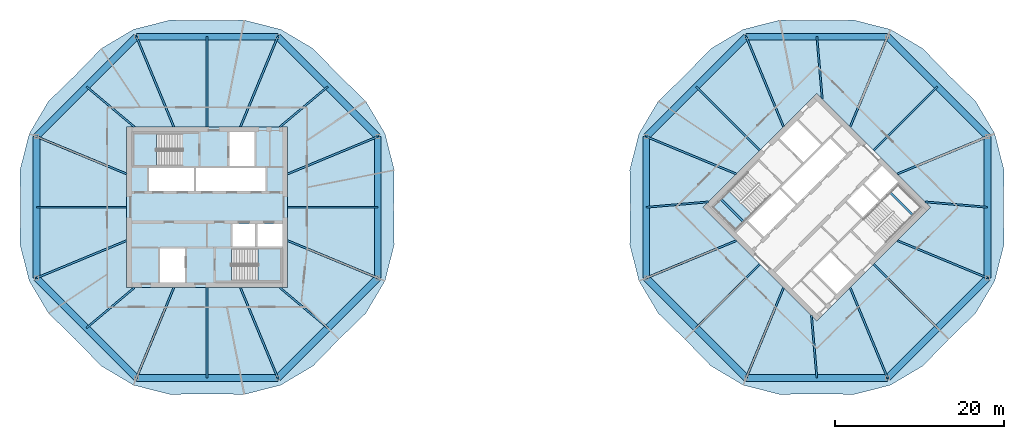
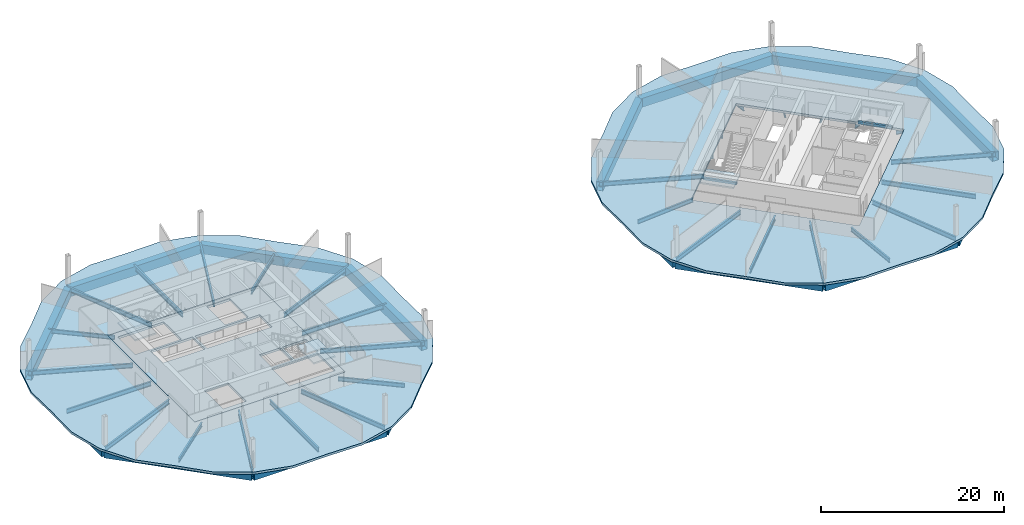
# One storey, part 3 of 10: 50 beams, 6 slabs, 3 elements without a shape of their own.
"""IFC4 building model written with IfcOpenShell, lengths in metres."""

from ifc_helpers import new_model, si_unit, direction, frame, origin, origin_2d, place, context, subcontext, project, spatial, polyline, rectangle, hollow_rectangle, i_section, outline, extrude, material, layer, layer_set, material_profile, profile_set, type_object, element, aggregate, save


model = new_model("IFC4")

# Units and contexts
model_context = context("Model", 3, precision=1e-05, world=origin(), true_north=direction((0.0, 1.0)))
body_context = subcontext(model_context, "Body", "Model", "MODEL_VIEW")
ifc_project = project(units=[si_unit("LENGTHUNIT", "METRE"), si_unit("AREAUNIT", "SQUARE_METRE"), si_unit("VOLUMEUNIT", "CUBIC_METRE"), si_unit("PLANEANGLEUNIT", "RADIAN"), si_unit("MASSUNIT", "GRAM", prefix="KILO")], contexts=[model_context])

# Site, building, storey
site_placement = place(None, origin())
site = spatial("IfcSite", under=ifc_project, at=site_placement, CompositionType="ELEMENT")
building_placement = place(site_placement, origin())
building = spatial("IfcBuilding", under=site, at=building_placement, Name="Ogive Gate Towers", CompositionType="ELEMENT")
storey_placement = place(building_placement, frame((0.0, 0.0, 173.39990234375)))
storey = spatial("IfcBuildingStorey", under=building, at=storey_placement, Name="L41", CompositionType="ELEMENT", Elevation=173.39990234375)

# Beams
ifc_material_1 = material(Name="Steel SM460", Category="steel")
ifc_material_profile_1 = material_profile(ifc_material_1, hollow_rectangle(XDim=0.800048828125, YDim=1.199951171875, WallThickness=0.050048828125, at=origin_2d()), Name="BX 1200x800x50")
ifc_profile_set_1 = profile_set([ifc_material_profile_1], Name="Steel SM460")
beam_type_1 = type_object("IfcBeamType", Name="Edge girder BX 1200x800x50", PredefinedType="BEAM", material=ifc_profile_set_1)
beam_1_placement = place(storey_placement, frame((-56.14990234375, -8.346435546875, -0.89990234375), z_axis=(0.707106781187, -0.707106781187, 0.0), x_axis=(0.707106781187, 0.707106781187, 0.0)))
element("IfcBeam", 1, at=beam_1_placement, inside=storey, type_object=beam_type_1, Name="T1/L41/SBM017", PredefinedType="BEAM", context=body_context, shape_type="SweptSolid", body=[
    extrude(hollow_rectangle(XDim=0.800048828125, YDim=1.199951171875, WallThickness=0.050048828125, at=origin_2d()), origin(), (0.0, 0.0, 1.0), 16.692626953125),
])
beam_2_placement = place(storey_placement, frame((-44.346435546875, -20.14990234375, -0.89990234375), z_axis=(1.0, 0.0, 0.0), x_axis=(0.0, 1.0, 0.0)))
element("IfcBeam", 2, at=beam_2_placement, inside=storey, type_object=beam_type_1, Name="T1/L41/SBM018", PredefinedType="BEAM", context=body_context, shape_type="SweptSolid", body=[
    extrude(hollow_rectangle(XDim=0.800048828125, YDim=1.199951171875, WallThickness=0.050048828125, at=origin_2d()), origin(), (0.0, 0.0, 1.0), 16.69287109375),
])
beam_3_placement = place(storey_placement, frame((-27.653564453125, -20.14990234375, -0.89990234375), z_axis=(0.707106781187, 0.707106781187, 0.0), x_axis=(-0.707106781187, 0.707106781187, 0.0)))
element("IfcBeam", 3, at=beam_3_placement, inside=storey, type_object=beam_type_1, Name="T1/L41/SBM019", PredefinedType="BEAM", context=body_context, shape_type="SweptSolid", body=[
    extrude(hollow_rectangle(XDim=0.800048828125, YDim=1.199951171875, WallThickness=0.050048828125, at=origin_2d()), origin(), (0.0, 0.0, 1.0), 16.692626953125),
])
beam_4_placement = place(storey_placement, frame((-15.85009765625, -8.346435546875, -0.89990234375), z_axis=(0.0, 1.0, 0.0), x_axis=(-1.0, 0.0, 0.0)))
element("IfcBeam", 4, at=beam_4_placement, inside=storey, type_object=beam_type_1, Name="T1/L41/SBM020", PredefinedType="BEAM", context=body_context, shape_type="SweptSolid", body=[
    extrude(hollow_rectangle(XDim=0.800048828125, YDim=1.199951171875, WallThickness=0.050048828125, at=origin_2d()), origin(), (0.0, 0.0, 1.0), 16.69287109375),
])
beam_5_placement = place(storey_placement, frame((-15.85009765625, 8.346435546875, -0.89990234375), z_axis=(-0.707106781187, 0.707106781187, 0.0), x_axis=(-0.707106781187, -0.707106781187, 0.0)))
element("IfcBeam", 5, at=beam_5_placement, inside=storey, type_object=beam_type_1, Name="T1/L41/SBM021", PredefinedType="BEAM", context=body_context, shape_type="SweptSolid", body=[
    extrude(hollow_rectangle(XDim=0.800048828125, YDim=1.199951171875, WallThickness=0.050048828125, at=origin_2d()), origin(), (0.0, 0.0, 1.0), 16.692626953125),
])
beam_6_placement = place(storey_placement, frame((-27.653564453125, 20.14990234375, -0.89990234375), z_axis=(-1.0, 0.0, 0.0), x_axis=(0.0, -1.0, 0.0)))
element("IfcBeam", 6, at=beam_6_placement, inside=storey, type_object=beam_type_1, Name="T1/L41/SBM022", PredefinedType="BEAM", context=body_context, shape_type="SweptSolid", body=[
    extrude(hollow_rectangle(XDim=0.800048828125, YDim=1.199951171875, WallThickness=0.050048828125, at=origin_2d()), origin(), (0.0, 0.0, 1.0), 16.69287109375),
])
beam_7_placement = place(storey_placement, frame((-44.346435546875, 20.14990234375, -0.89990234375), z_axis=(-0.707106781187, -0.707106781187, 0.0), x_axis=(0.707106781187, -0.707106781187, 0.0)))
element("IfcBeam", 7, at=beam_7_placement, inside=storey, type_object=beam_type_1, Name="T1/L41/SBM023", PredefinedType="BEAM", context=body_context, shape_type="SweptSolid", body=[
    extrude(hollow_rectangle(XDim=0.800048828125, YDim=1.199951171875, WallThickness=0.050048828125, at=origin_2d()), origin(), (0.0, 0.0, 1.0), 16.692626953125),
])
beam_8_placement = place(storey_placement, frame((-56.14990234375, 8.346435546875, -0.89990234375), z_axis=(0.0, -1.0, 0.0), x_axis=(1.0, 0.0, 0.0)))
element("IfcBeam", 8, at=beam_8_placement, inside=storey, type_object=beam_type_1, Name="T1/L41/SBM024", PredefinedType="BEAM", context=body_context, shape_type="SweptSolid", body=[
    extrude(hollow_rectangle(XDim=0.800048828125, YDim=1.199951171875, WallThickness=0.050048828125, at=origin_2d()), origin(), (0.0, 0.0, 1.0), 16.69287109375),
])
beam_9_placement = place(storey_placement, frame((15.85009765625, -8.346435546875, -0.89990234375), z_axis=(0.707106781187, -0.707106781187, 0.0), x_axis=(0.707106781187, 0.707106781187, 0.0)))
element("IfcBeam", 9, at=beam_9_placement, inside=storey, type_object=beam_type_1, Name="T2/L41/SBM017", PredefinedType="BEAM", context=body_context, shape_type="SweptSolid", body=[
    extrude(hollow_rectangle(XDim=0.800048828125, YDim=1.199951171875, WallThickness=0.050048828125, at=origin_2d()), origin(), (0.0, 0.0, 1.0), 16.692626953125),
])
beam_10_placement = place(storey_placement, frame((27.653564453125, -20.14990234375, -0.89990234375), z_axis=(1.0, 0.0, 0.0), x_axis=(0.0, 1.0, 0.0)))
element("IfcBeam", 10, at=beam_10_placement, inside=storey, type_object=beam_type_1, Name="T2/L41/SBM018", PredefinedType="BEAM", context=body_context, shape_type="SweptSolid", body=[
    extrude(hollow_rectangle(XDim=0.800048828125, YDim=1.199951171875, WallThickness=0.050048828125, at=origin_2d()), origin(), (0.0, 0.0, 1.0), 16.69287109375),
])
beam_11_placement = place(storey_placement, frame((44.346435546875, -20.14990234375, -0.89990234375), z_axis=(0.707106781187, 0.707106781187, 0.0), x_axis=(-0.707106781187, 0.707106781187, 0.0)))
element("IfcBeam", 11, at=beam_11_placement, inside=storey, type_object=beam_type_1, Name="T2/L41/SBM019", PredefinedType="BEAM", context=body_context, shape_type="SweptSolid", body=[
    extrude(hollow_rectangle(XDim=0.800048828125, YDim=1.199951171875, WallThickness=0.050048828125, at=origin_2d()), origin(), (0.0, 0.0, 1.0), 16.692626953125),
])
beam_12_placement = place(storey_placement, frame((56.14990234375, -8.346435546875, -0.89990234375), z_axis=(0.0, 1.0, 0.0), x_axis=(-1.0, 0.0, 0.0)))
element("IfcBeam", 12, at=beam_12_placement, inside=storey, type_object=beam_type_1, Name="T2/L41/SBM020", PredefinedType="BEAM", context=body_context, shape_type="SweptSolid", body=[
    extrude(hollow_rectangle(XDim=0.800048828125, YDim=1.199951171875, WallThickness=0.050048828125, at=origin_2d()), origin(), (0.0, 0.0, 1.0), 16.69287109375),
])
beam_13_placement = place(storey_placement, frame((56.14990234375, 8.346435546875, -0.89990234375), z_axis=(-0.707106781187, 0.707106781187, 0.0), x_axis=(-0.707106781187, -0.707106781187, 0.0)))
element("IfcBeam", 13, at=beam_13_placement, inside=storey, type_object=beam_type_1, Name="T2/L41/SBM021", PredefinedType="BEAM", context=body_context, shape_type="SweptSolid", body=[
    extrude(hollow_rectangle(XDim=0.800048828125, YDim=1.199951171875, WallThickness=0.050048828125, at=origin_2d()), origin(), (0.0, 0.0, 1.0), 16.692626953125),
])
beam_14_placement = place(storey_placement, frame((44.346435546875, 20.14990234375, -0.89990234375), z_axis=(-1.0, 0.0, 0.0), x_axis=(0.0, -1.0, 0.0)))
element("IfcBeam", 14, at=beam_14_placement, inside=storey, type_object=beam_type_1, Name="T2/L41/SBM022", PredefinedType="BEAM", context=body_context, shape_type="SweptSolid", body=[
    extrude(hollow_rectangle(XDim=0.800048828125, YDim=1.199951171875, WallThickness=0.050048828125, at=origin_2d()), origin(), (0.0, 0.0, 1.0), 16.69287109375),
])
beam_15_placement = place(storey_placement, frame((27.653564453125, 20.14990234375, -0.89990234375), z_axis=(-0.707106781187, -0.707106781187, 0.0), x_axis=(0.707106781187, -0.707106781187, 0.0)))
element("IfcBeam", 15, at=beam_15_placement, inside=storey, type_object=beam_type_1, Name="T2/L41/SBM023", PredefinedType="BEAM", context=body_context, shape_type="SweptSolid", body=[
    extrude(hollow_rectangle(XDim=0.800048828125, YDim=1.199951171875, WallThickness=0.050048828125, at=origin_2d()), origin(), (0.0, 0.0, 1.0), 16.692626953125),
])
beam_16_placement = place(storey_placement, frame((15.85009765625, 8.346435546875, -0.89990234375), z_axis=(0.0, -1.0, 0.0), x_axis=(1.0, 0.0, 0.0)))
element("IfcBeam", 16, at=beam_16_placement, inside=storey, type_object=beam_type_1, Name="T2/L41/SBM024", PredefinedType="BEAM", context=body_context, shape_type="SweptSolid", body=[
    extrude(hollow_rectangle(XDim=0.800048828125, YDim=1.199951171875, WallThickness=0.050048828125, at=origin_2d()), origin(), (0.0, 0.0, 1.0), 16.69287109375),
])
ifc_material_2 = material(Name="Concrete C40/50", Category="concrete")
ifc_material_profile_2 = material_profile(ifc_material_2, rectangle(XDim=0.25, YDim=0.300048828125, at=origin_2d()), Name="RC 250x300")
ifc_profile_set_2 = profile_set([ifc_material_profile_2], Name="Concrete C40/50")
beam_type_2 = type_object("IfcBeamType", Name="Landing bearer RC 250x300", PredefinedType="BEAM", material=ifc_profile_set_2)
for number, where, z_axis, x_axis, name in (
    (17, (24.650390625, 0.9541015625, 1.60009765625), (0.707106781187, -0.707106781187, 0.0), (0.707106781187, 0.707106781187, 0.0), "T2 L41 stair 1 landing bearer 1"),
    (18, (47.349609375, -0.9541015625, 1.60009765625), (-0.707106781187, 0.707106781187, 0.0), (-0.707106781187, -0.707106781187, 0.0), "T2 L41 stair 2 landing bearer 1"),
):
    element("IfcBeam", number, at=place(storey_placement, frame(where, z_axis=z_axis, x_axis=x_axis)), inside=storey, type_object=beam_type_2, Name=name, PredefinedType="BEAM", context=body_context, shape_type="SweptSolid", body=[
        extrude(rectangle(XDim=0.25, YDim=0.300048828125, at=origin_2d()), origin(), (0.0, 0.0, 1.0), 3.824951171875),
    ])
ifc_material_3 = material(Name="Steel SM355", Category="steel")
ifc_material_profile_3 = material_profile(ifc_material_3, i_section(OverallWidth=0.2099609375, OverallDepth=0.550048828125, WebThickness=0.010986328125, FlangeThickness=0.01708984375, FilletRadius=0.02392578125, at=origin_2d()), Name="IPE 550")
ifc_profile_set_3 = profile_set([ifc_material_profile_3], Name="Steel SM355")
beam_type_3 = type_object("IfcBeamType", Name="Radial floor beam IPE 550", PredefinedType="BEAM", material=ifc_profile_set_3)
for number, where, z_axis, x_axis, name in (
    (19, (-44.60009765625, -9.5, -0.574951171875), (-0.76545320234, -0.643491565622, 0.0), (0.643491565622, -0.76545320234, 0.0), "T1/L41/SBM002"),
    (20, (-27.39990234375, -9.5, -0.574951171875), (0.76545320234, -0.643491565622, 0.0), (0.643491565622, 0.76545320234, 0.0), "T1/L41/SBM006"),
    (21, (-27.39990234375, 9.5, -0.574951171875), (0.76545320234, 0.643491565622, 0.0), (-0.643491565622, 0.76545320234, 0.0), "T1/L41/SBM010"),
    (22, (-44.60009765625, 9.5, -0.574951171875), (-0.76545320234, 0.643491565622, 0.0), (-0.643491565622, -0.76545320234, 0.0), "T1/L41/SBM014"),
):
    element("IfcBeam", number, at=place(storey_placement, frame(where, z_axis=z_axis, x_axis=x_axis)), inside=storey, type_object=beam_type_3, Name=name, PredefinedType="BEAM", context=body_context, shape_type="SweptSolid", body=[
        extrude(i_section(OverallWidth=0.2099609375, OverallDepth=0.550048828125, WebThickness=0.010986328125, FlangeThickness=0.01708984375, FilletRadius=0.02392578125, at=origin_2d()), origin(), (0.0, 0.0, 1.0), 7.378662109375),
    ])
for number, where, z_axis, x_axis, name in (
    (23, (35.363525390625, -12.798583984375, -0.574951171875), (0.086256966176, -0.996272922339, 0.0), (0.996272922339, 0.086256966176, 0.0), "T2/L41/SBM004"),
    (24, (48.798583984375, 0.636474609375, -0.574951171875), (0.996272922339, -0.086256966176, 0.0), (0.086256966176, 0.996272922339, 0.0), "T2/L41/SBM008"),
    (25, (36.636474609375, 12.798583984375, -0.574951171875), (-0.086256966176, 0.996272922339, 0.0), (-0.996272922339, -0.086256966176, 0.0), "T2/L41/SBM012"),
    (26, (23.201416015625, 0.636474609375, -0.574951171875), (-0.996272922339, -0.086256966176, 0.0), (0.086256966176, -0.996272922339, 0.0), "T2/L41/SBM016"),
):
    element("IfcBeam", number, at=place(storey_placement, frame(where, z_axis=z_axis, x_axis=x_axis)), inside=storey, type_object=beam_type_3, Name=name, PredefinedType="BEAM", context=body_context, shape_type="SweptSolid", body=[
        extrude(i_section(OverallWidth=0.2099609375, OverallDepth=0.550048828125, WebThickness=0.010986328125, FlangeThickness=0.01708984375, FilletRadius=0.02392578125, at=origin_2d()), origin(), (0.0, 0.0, 1.0), 7.37890625),
    ])
ifc_material_profile_4 = material_profile(ifc_material_3, i_section(OverallWidth=0.219970703125, OverallDepth=0.60009765625, WebThickness=0.011962890625, FlangeThickness=0.01904296875, FilletRadius=0.02392578125, at=origin_2d()), Name="IPE 600")
ifc_profile_set_4 = profile_set([ifc_material_profile_4], Name="Steel SM355")
beam_type_4 = type_object("IfcBeamType", Name="Radial floor beam IPE 600", PredefinedType="BEAM", material=ifc_profile_set_4)
for number, where, z_axis, x_axis, name in (
    (27, (-45.5, -3.93505859375, -0.599853515625), (-0.923878214756, -0.382686613691, 0.0), (0.382686613691, -0.923878214756, 0.0), "T1/L41/SBM001"),
    (28, (-39.93505859375, -9.5, -0.599853515625), (-0.382686613691, -0.923878214756, 0.0), (0.923878214756, -0.382686613691, 0.0), "T1/L41/SBM003"),
):
    element("IfcBeam", number, at=place(storey_placement, frame(where, z_axis=z_axis, x_axis=x_axis)), inside=storey, type_object=beam_type_4, Name=name, PredefinedType="BEAM", context=body_context, shape_type="SweptSolid", body=[
        extrude(i_section(OverallWidth=0.219970703125, OverallDepth=0.60009765625, WebThickness=0.011962890625, FlangeThickness=0.01904296875, FilletRadius=0.02392578125, at=origin_2d()), origin(), (0.0, 0.0, 1.0), 11.52734375),
    ])
beam_17_placement = place(storey_placement, frame((-36.0, -9.5, -0.599853515625), z_axis=(0.0, -1.0, 0.0), x_axis=(1.0, 0.0, 0.0)))
element("IfcBeam", 29, at=beam_17_placement, inside=storey, type_object=beam_type_4, Name="T1/L41/SBM004", PredefinedType="BEAM", context=body_context, shape_type="SweptSolid", body=[
    extrude(i_section(OverallWidth=0.219970703125, OverallDepth=0.60009765625, WebThickness=0.011962890625, FlangeThickness=0.01904296875, FilletRadius=0.02392578125, at=origin_2d()), origin(), (0.0, 0.0, 1.0), 10.64990234375),
])
for number, where, z_axis, x_axis, name in (
    (30, (-32.06494140625, -9.5, -0.599853515625), (0.382686613691, -0.923878214756, 0.0), (0.923878214756, 0.382686613691, 0.0), "T1/L41/SBM005"),
    (31, (-26.5, -3.93505859375, -0.599853515625), (0.923878214756, -0.382686613691, 0.0), (0.382686613691, 0.923878214756, 0.0), "T1/L41/SBM007"),
):
    element("IfcBeam", number, at=place(storey_placement, frame(where, z_axis=z_axis, x_axis=x_axis)), inside=storey, type_object=beam_type_4, Name=name, PredefinedType="BEAM", context=body_context, shape_type="SweptSolid", body=[
        extrude(i_section(OverallWidth=0.219970703125, OverallDepth=0.60009765625, WebThickness=0.011962890625, FlangeThickness=0.01904296875, FilletRadius=0.02392578125, at=origin_2d()), origin(), (0.0, 0.0, 1.0), 11.52734375),
    ])
beam_18_placement = place(storey_placement, frame((-26.5, 0.0, -0.599853515625), z_axis=(1.0, 0.0, 0.0), x_axis=(0.0, 1.0, 0.0)))
element("IfcBeam", 32, at=beam_18_placement, inside=storey, type_object=beam_type_4, Name="T1/L41/SBM008", PredefinedType="BEAM", context=body_context, shape_type="SweptSolid", body=[
    extrude(i_section(OverallWidth=0.219970703125, OverallDepth=0.60009765625, WebThickness=0.011962890625, FlangeThickness=0.01904296875, FilletRadius=0.02392578125, at=origin_2d()), origin(), (0.0, 0.0, 1.0), 10.64990234375),
])
for number, where, z_axis, x_axis, name in (
    (33, (-26.5, 3.93505859375, -0.599853515625), (0.923878214756, 0.382686613691, 0.0), (-0.382686613691, 0.923878214756, 0.0), "T1/L41/SBM009"),
    (34, (-32.06494140625, 9.5, -0.599853515625), (0.382686613691, 0.923878214756, 0.0), (-0.923878214756, 0.382686613691, 0.0), "T1/L41/SBM011"),
):
    element("IfcBeam", number, at=place(storey_placement, frame(where, z_axis=z_axis, x_axis=x_axis)), inside=storey, type_object=beam_type_4, Name=name, PredefinedType="BEAM", context=body_context, shape_type="SweptSolid", body=[
        extrude(i_section(OverallWidth=0.219970703125, OverallDepth=0.60009765625, WebThickness=0.011962890625, FlangeThickness=0.01904296875, FilletRadius=0.02392578125, at=origin_2d()), origin(), (0.0, 0.0, 1.0), 11.52734375),
    ])
beam_19_placement = place(storey_placement, frame((-36.0, 9.5, -0.599853515625), z_axis=(0.0, 1.0, 0.0), x_axis=(-1.0, 0.0, 0.0)))
element("IfcBeam", 35, at=beam_19_placement, inside=storey, type_object=beam_type_4, Name="T1/L41/SBM012", PredefinedType="BEAM", context=body_context, shape_type="SweptSolid", body=[
    extrude(i_section(OverallWidth=0.219970703125, OverallDepth=0.60009765625, WebThickness=0.011962890625, FlangeThickness=0.01904296875, FilletRadius=0.02392578125, at=origin_2d()), origin(), (0.0, 0.0, 1.0), 10.64990234375),
])
for number, where, z_axis, x_axis, name in (
    (36, (-39.93505859375, 9.5, -0.599853515625), (-0.382686613691, 0.923878214756, 0.0), (-0.923878214756, -0.382686613691, 0.0), "T1/L41/SBM013"),
    (37, (-45.5, 3.93505859375, -0.599853515625), (-0.923878214756, 0.382686613691, 0.0), (-0.382686613691, -0.923878214756, 0.0), "T1/L41/SBM015"),
):
    element("IfcBeam", number, at=place(storey_placement, frame(where, z_axis=z_axis, x_axis=x_axis)), inside=storey, type_object=beam_type_4, Name=name, PredefinedType="BEAM", context=body_context, shape_type="SweptSolid", body=[
        extrude(i_section(OverallWidth=0.219970703125, OverallDepth=0.60009765625, WebThickness=0.011962890625, FlangeThickness=0.01904296875, FilletRadius=0.02392578125, at=origin_2d()), origin(), (0.0, 0.0, 1.0), 11.52734375),
    ])
beam_20_placement = place(storey_placement, frame((-45.5, 0.0, -0.599853515625), z_axis=(-1.0, 0.0, 0.0), x_axis=(0.0, -1.0, 0.0)))
element("IfcBeam", 38, at=beam_20_placement, inside=storey, type_object=beam_type_4, Name="T1/L41/SBM016", PredefinedType="BEAM", context=body_context, shape_type="SweptSolid", body=[
    extrude(i_section(OverallWidth=0.219970703125, OverallDepth=0.60009765625, WebThickness=0.011962890625, FlangeThickness=0.01904296875, FilletRadius=0.02392578125, at=origin_2d()), origin(), (0.0, 0.0, 1.0), 10.64990234375),
])
beam_21_placement = place(storey_placement, frame((26.5, -3.93505859375, -0.599853515625), z_axis=(-0.923878214756, -0.382686613691, 0.0), x_axis=(0.382686613691, -0.923878214756, 0.0)))
element("IfcBeam", 39, at=beam_21_placement, inside=storey, type_object=beam_type_4, Name="T2/L41/SBM001", PredefinedType="BEAM", context=body_context, shape_type="SweptSolid", body=[
    extrude(i_section(OverallWidth=0.219970703125, OverallDepth=0.60009765625, WebThickness=0.011962890625, FlangeThickness=0.01904296875, FilletRadius=0.02392578125, at=origin_2d()), origin(), (0.0, 0.0, 1.0), 11.52734375),
])
beam_22_placement = place(storey_placement, frame((29.282470703125, -6.717529296875, -0.599853515625), z_axis=(-0.707106781187, -0.707106781187, 0.0), x_axis=(0.707106781187, -0.707106781187, 0.0)))
element("IfcBeam", 40, at=beam_22_placement, inside=storey, type_object=beam_type_4, Name="T2/L41/SBM002", PredefinedType="BEAM", context=body_context, shape_type="SweptSolid", body=[
    extrude(i_section(OverallWidth=0.219970703125, OverallDepth=0.60009765625, WebThickness=0.011962890625, FlangeThickness=0.01904296875, FilletRadius=0.02392578125, at=origin_2d()), origin(), (0.0, 0.0, 1.0), 10.649658203125),
])
for number, where, z_axis, x_axis, name in (
    (41, (32.06494140625, -9.5, -0.599853515625), (-0.382686613691, -0.923878214756, 0.0), (0.923878214756, -0.382686613691, 0.0), "T2/L41/SBM003"),
    (42, (39.93505859375, -9.5, -0.599853515625), (0.382686613691, -0.923878214756, 0.0), (0.923878214756, 0.382686613691, 0.0), "T2/L41/SBM005"),
):
    element("IfcBeam", number, at=place(storey_placement, frame(where, z_axis=z_axis, x_axis=x_axis)), inside=storey, type_object=beam_type_4, Name=name, PredefinedType="BEAM", context=body_context, shape_type="SweptSolid", body=[
        extrude(i_section(OverallWidth=0.219970703125, OverallDepth=0.60009765625, WebThickness=0.011962890625, FlangeThickness=0.01904296875, FilletRadius=0.02392578125, at=origin_2d()), origin(), (0.0, 0.0, 1.0), 11.52734375),
    ])
beam_23_placement = place(storey_placement, frame((42.717529296875, -6.717529296875, -0.599853515625), z_axis=(0.707106781187, -0.707106781187, 0.0), x_axis=(0.707106781187, 0.707106781187, 0.0)))
element("IfcBeam", 43, at=beam_23_placement, inside=storey, type_object=beam_type_4, Name="T2/L41/SBM006", PredefinedType="BEAM", context=body_context, shape_type="SweptSolid", body=[
    extrude(i_section(OverallWidth=0.219970703125, OverallDepth=0.60009765625, WebThickness=0.011962890625, FlangeThickness=0.01904296875, FilletRadius=0.02392578125, at=origin_2d()), origin(), (0.0, 0.0, 1.0), 10.649658203125),
])
for number, where, z_axis, x_axis, name in (
    (44, (45.5, -3.93505859375, -0.599853515625), (0.923878214756, -0.382686613691, 0.0), (0.382686613691, 0.923878214756, 0.0), "T2/L41/SBM007"),
    (45, (45.5, 3.93505859375, -0.599853515625), (0.923878214756, 0.382686613691, 0.0), (-0.382686613691, 0.923878214756, 0.0), "T2/L41/SBM009"),
):
    element("IfcBeam", number, at=place(storey_placement, frame(where, z_axis=z_axis, x_axis=x_axis)), inside=storey, type_object=beam_type_4, Name=name, PredefinedType="BEAM", context=body_context, shape_type="SweptSolid", body=[
        extrude(i_section(OverallWidth=0.219970703125, OverallDepth=0.60009765625, WebThickness=0.011962890625, FlangeThickness=0.01904296875, FilletRadius=0.02392578125, at=origin_2d()), origin(), (0.0, 0.0, 1.0), 11.52734375),
    ])
beam_24_placement = place(storey_placement, frame((42.717529296875, 6.717529296875, -0.599853515625), z_axis=(0.707106781187, 0.707106781187, 0.0), x_axis=(-0.707106781187, 0.707106781187, 0.0)))
element("IfcBeam", 46, at=beam_24_placement, inside=storey, type_object=beam_type_4, Name="T2/L41/SBM010", PredefinedType="BEAM", context=body_context, shape_type="SweptSolid", body=[
    extrude(i_section(OverallWidth=0.219970703125, OverallDepth=0.60009765625, WebThickness=0.011962890625, FlangeThickness=0.01904296875, FilletRadius=0.02392578125, at=origin_2d()), origin(), (0.0, 0.0, 1.0), 10.649658203125),
])
for number, where, z_axis, x_axis, name in (
    (47, (39.93505859375, 9.5, -0.599853515625), (0.382686613691, 0.923878214756, 0.0), (-0.923878214756, 0.382686613691, 0.0), "T2/L41/SBM011"),
    (48, (32.06494140625, 9.5, -0.599853515625), (-0.382686613691, 0.923878214756, 0.0), (-0.923878214756, -0.382686613691, 0.0), "T2/L41/SBM013"),
):
    element("IfcBeam", number, at=place(storey_placement, frame(where, z_axis=z_axis, x_axis=x_axis)), inside=storey, type_object=beam_type_4, Name=name, PredefinedType="BEAM", context=body_context, shape_type="SweptSolid", body=[
        extrude(i_section(OverallWidth=0.219970703125, OverallDepth=0.60009765625, WebThickness=0.011962890625, FlangeThickness=0.01904296875, FilletRadius=0.02392578125, at=origin_2d()), origin(), (0.0, 0.0, 1.0), 11.52734375),
    ])
beam_25_placement = place(storey_placement, frame((29.282470703125, 6.717529296875, -0.599853515625), z_axis=(-0.707106781187, 0.707106781187, 0.0), x_axis=(-0.707106781187, -0.707106781187, 0.0)))
element("IfcBeam", 49, at=beam_25_placement, inside=storey, type_object=beam_type_4, Name="T2/L41/SBM014", PredefinedType="BEAM", context=body_context, shape_type="SweptSolid", body=[
    extrude(i_section(OverallWidth=0.219970703125, OverallDepth=0.60009765625, WebThickness=0.011962890625, FlangeThickness=0.01904296875, FilletRadius=0.02392578125, at=origin_2d()), origin(), (0.0, 0.0, 1.0), 10.649658203125),
])
beam_26_placement = place(storey_placement, frame((26.5, 3.93505859375, -0.599853515625), z_axis=(-0.923878214756, 0.382686613691, 0.0), x_axis=(-0.382686613691, -0.923878214756, 0.0)))
element("IfcBeam", 50, at=beam_26_placement, inside=storey, type_object=beam_type_4, Name="T2/L41/SBM015", PredefinedType="BEAM", context=body_context, shape_type="SweptSolid", body=[
    extrude(i_section(OverallWidth=0.219970703125, OverallDepth=0.60009765625, WebThickness=0.011962890625, FlangeThickness=0.01904296875, FilletRadius=0.02392578125, at=origin_2d()), origin(), (0.0, 0.0, 1.0), 11.52734375),
])

# Slabs
ifc_layer_1 = layer(ifc_material_2, 0.300048828125)
ifc_layer_set_1 = layer_set([ifc_layer_1], Name="Core slab C40/50 300 mm")
slab_type_1 = type_object("IfcSlabType", Name="Core slab C40/50 300 mm", PredefinedType="FLOOR", material=ifc_layer_set_1)
slab_1_placement = place(storey_placement, frame((0.0, 0.0, -0.2998046875)))
element("IfcSlab", 51, at=slab_1_placement, inside=storey, type_object=slab_type_1, Name="T1 L41 core slab", PredefinedType="FLOOR", context=body_context, shape_type="SweptSolid", body=[
    extrude(outline(polyline([(-45.5, -9.5), (-45.5, 9.5), (-26.5, 9.5), (-26.5, -9.5), (-45.5, -9.5)]), holes=[polyline([(-42.875, 1.949951171875), (-37.574951171875, 1.949951171875), (-37.574951171875, 4.625), (-42.875, 4.625), (-42.875, 1.949951171875)]), polyline([(-37.324951171875, 4.625), (-37.324951171875, 1.949951171875), (-29.125, 1.949951171875), (-29.125, 4.625), (-37.324951171875, 4.625)]), polyline([(-30.324951171875, -1.949951171875), (-32.97509765625, -1.949951171875), (-32.97509765625, -4.625), (-30.324951171875, -4.625), (-30.324951171875, -1.949951171875)]), polyline([(-27.10009765625, -4.625), (-27.10009765625, -1.949951171875), (-30.074951171875, -1.949951171875), (-30.074951171875, -4.625), (-27.10009765625, -4.625)]), polyline([(-33.375, 4.875), (-30.425048828125, 4.875), (-30.425048828125, 8.89990234375), (-33.375, 8.89990234375), (-33.375, 4.875)]), polyline([(-41.574951171875, -4.875), (-41.574951171875, -8.89990234375), (-38.625, -8.89990234375), (-38.625, -4.875), (-41.574951171875, -4.875)]), polyline([(-44.699951171875, 4.875), (-38.885009765625, 4.875), (-38.885009765625, 8.699951171875), (-44.699951171875, 8.699951171875), (-44.699951171875, 4.875)]), polyline([(-27.300048828125, -8.699951171875), (-27.300048828125, -4.875), (-33.114990234375, -4.875), (-33.114990234375, -8.699951171875), (-27.300048828125, -8.699951171875)])]), origin(), (0.0, 0.0, 1.0), 0.2998046875),
])
ifc_material_4 = material(Name="Concrete C35/45", Category="concrete")
ifc_layer_2 = layer(ifc_material_4, 0.300048828125)
ifc_layer_set_2 = layer_set([ifc_layer_2], Name="Floor slab 300")
slab_type_2 = type_object("IfcSlabType", Name="Floor slab 300", PredefinedType="FLOOR", material=ifc_layer_set_2)
slab_2_placement = place(storey_placement, frame((0.0, 0.0, -0.2998046875)))
element("IfcSlab", 52, at=slab_2_placement, inside=storey, type_object=slab_type_2, Name="T1/L41/SSL001", PredefinedType="FLOOR", context=body_context, shape_type="SweptSolid", body=[
    extrude(outline(polyline([(-13.90283203125, -4.395263671875), (-13.969970703125, 0.0), (-13.90283203125, 4.395263671875), (-15.000244140625, 8.698486328125), (-17.26708984375, 12.51708984375), (-20.42236328125, 15.57763671875), (-23.48291015625, 18.73291015625), (-27.301513671875, 20.999755859375), (-31.604736328125, 22.09716796875), (-36.0, 22.030029296875), (-40.395263671875, 22.09716796875), (-44.698486328125, 20.999755859375), (-48.51708984375, 18.73291015625), (-51.57763671875, 15.57763671875), (-54.73291015625, 12.51708984375), (-56.999755859375, 8.698486328125), (-58.09716796875, 4.395263671875), (-58.030029296875, 0.0), (-58.09716796875, -4.395263671875), (-56.999755859375, -8.698486328125), (-54.73291015625, -12.51708984375), (-51.57763671875, -15.57763671875), (-48.51708984375, -18.73291015625), (-44.698486328125, -20.999755859375), (-40.395263671875, -22.09716796875), (-36.0, -22.030029296875), (-31.604736328125, -22.09716796875), (-27.301513671875, -20.999755859375), (-23.48291015625, -18.73291015625), (-20.42236328125, -15.57763671875), (-17.26708984375, -12.51708984375), (-15.000244140625, -8.698486328125), (-13.90283203125, -4.395263671875)]), holes=[polyline([(-26.5, -9.5), (-45.5, -9.5), (-45.5, 9.5), (-26.5, 9.5), (-26.5, -9.5)])]), origin(), (0.0, 0.0, 1.0), 0.2998046875),
])
slab_3_placement = place(storey_placement, frame((0.0, 0.0, -0.2998046875)))
element("IfcSlab", 53, at=slab_3_placement, inside=storey, type_object=slab_type_2, Name="T2/L41/SSL001", PredefinedType="FLOOR", context=body_context, shape_type="SweptSolid", body=[
    extrude(outline(polyline([(58.09716796875, -4.395263671875), (58.030029296875, 0.0), (58.09716796875, 4.395263671875), (56.999755859375, 8.698486328125), (54.73291015625, 12.51708984375), (51.57763671875, 15.57763671875), (48.51708984375, 18.73291015625), (44.698486328125, 20.999755859375), (40.395263671875, 22.09716796875), (36.0, 22.030029296875), (31.604736328125, 22.09716796875), (27.301513671875, 20.999755859375), (23.48291015625, 18.73291015625), (20.42236328125, 15.57763671875), (17.26708984375, 12.51708984375), (15.000244140625, 8.698486328125), (13.90283203125, 4.395263671875), (13.969970703125, 0.0), (13.90283203125, -4.395263671875), (15.000244140625, -8.698486328125), (17.26708984375, -12.51708984375), (20.42236328125, -15.57763671875), (23.48291015625, -18.73291015625), (27.301513671875, -20.999755859375), (31.604736328125, -22.09716796875), (36.0, -22.030029296875), (40.395263671875, -22.09716796875), (44.698486328125, -20.999755859375), (48.51708984375, -18.73291015625), (51.57763671875, -15.57763671875), (54.73291015625, -12.51708984375), (56.999755859375, -8.698486328125), (58.09716796875, -4.395263671875)]), holes=[polyline([(49.43505859375, 0.0), (36.0, -13.43505859375), (22.56494140625, 0.0), (36.0, 13.43505859375), (49.43505859375, 0.0)])]), origin(), (0.0, 0.0, 1.0), 0.2998046875),
])

# Stair, slab
stair_type = type_object("IfcStairType", Name="Escape stair 1840 wide", PredefinedType="HALF_TURN_STAIR", material=ifc_material_2)
stair_1_placement = place(storey_placement, origin())
stair_1 = element("IfcStair", 54, at=stair_1_placement, inside=storey, type_object=stair_type, Name="L41 Escape stair 1", PredefinedType="HALF_TURN_STAIR")
ifc_layer_3 = layer(ifc_material_2, 0.199951171875)
ifc_layer_set_3 = layer_set([ifc_layer_3], Name="Stair landing 200 mm")
slab_type_3 = type_object("IfcSlabType", Name="Stair landing 200 mm", PredefinedType="LANDING", material=ifc_layer_set_3)
slab_4_placement = place(storey_placement, frame((0.0, 0.0, 1.75)))
slab_4 = element("IfcSlab", 55, at=slab_4_placement, type_object=slab_type_3, Name="ST1 landing 1", PredefinedType="LANDING", context=body_context, shape_type="SweptSolid", body=[
    extrude(outline(polyline([(-42.00146484375, 8.699951171875), (-44.699951171875, 8.699951171875), (-44.699951171875, 4.875), (-42.00146484375, 4.875), (-42.00146484375, 8.699951171875)])), origin(), (0.0, 0.0, 1.0), 0.2001953125),
])
aggregate(stair_1, [slab_4])

stair_2_placement = place(storey_placement, origin())
stair_2 = element("IfcStair", 56, at=stair_2_placement, inside=storey, type_object=stair_type, Name="L41 Escape stair 2", PredefinedType="HALF_TURN_STAIR")
slab_5_placement = place(storey_placement, frame((0.0, 0.0, 1.75)))
slab_5 = element("IfcSlab", 57, at=slab_5_placement, type_object=slab_type_3, Name="ST2 landing 1", PredefinedType="LANDING", context=body_context, shape_type="SweptSolid", body=[
    extrude(outline(polyline([(-29.99853515625, -8.699951171875), (-27.300048828125, -8.699951171875), (-27.300048828125, -4.875), (-29.99853515625, -4.875), (-29.99853515625, -8.699951171875)])), origin(), (0.0, 0.0, 1.0), 0.2001953125),
])
aggregate(stair_2, [slab_5])

stair_3_placement = place(storey_placement, origin())
stair_3 = element("IfcStair", 58, at=stair_3_placement, inside=storey, type_object=stair_type, Name="L41 Escape stair 1", PredefinedType="HALF_TURN_STAIR")
slab_6_placement = place(storey_placement, frame((0.0, 0.0, 1.75)))
slab_6 = element("IfcSlab", 59, at=slab_6_placement, type_object=slab_type_3, Name="ST1 landing 1", PredefinedType="LANDING", context=body_context, shape_type="SweptSolid", body=[
    extrude(outline(polyline([(25.6044921875, 1.908203125), (23.6962890625, 0.0), (26.401123046875, -2.70458984375), (28.309326171875, -0.79638671875), (25.6044921875, 1.908203125)])), origin(), (0.0, 0.0, 1.0), 0.2001953125),
])
aggregate(stair_3, [slab_6])

save(model, "model.ifc")
